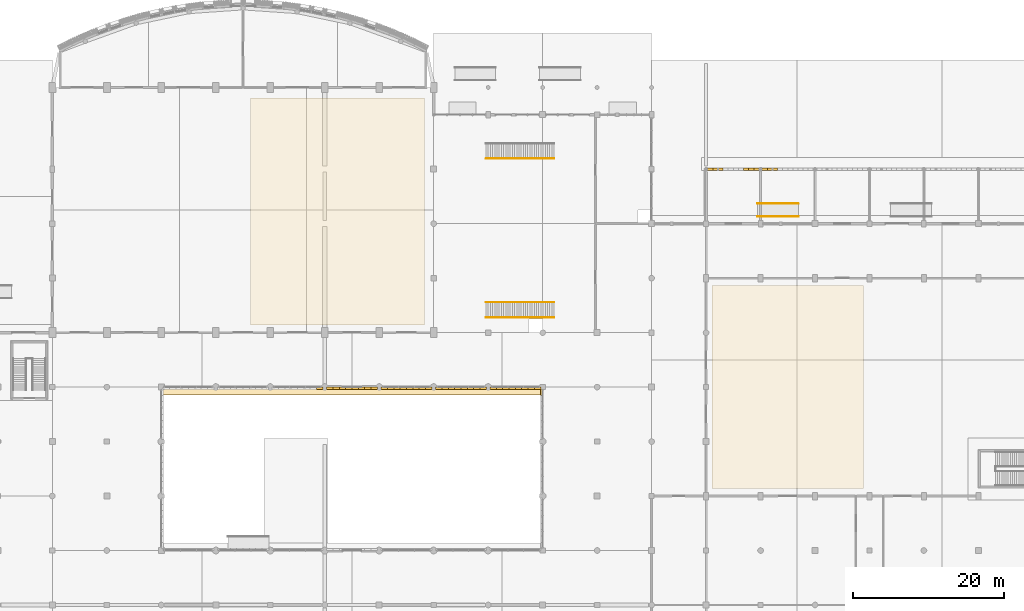
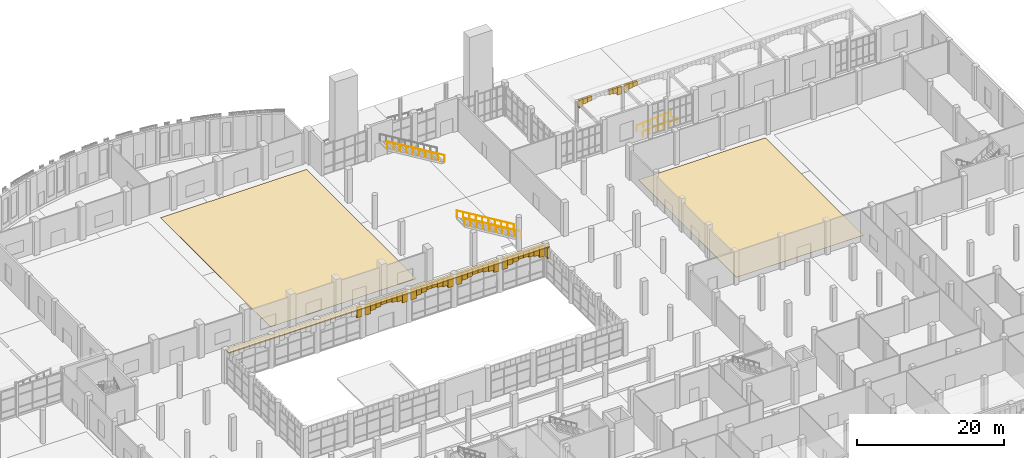
# One storey, part 78 of 85: 46 coverings, 5 railings.
"""IFC4 building model written with IfcOpenShell, lengths in metres."""

from ifc_helpers import new_model, si_unit, direction, frame, frame_2d, origin, origin_2d, place, context, subcontext, project, spatial, polyline, rectangle, circle, outline, extrude, material, layer, layer_set, type_object, element, save


model = new_model("IFC4")

# Units and contexts
model_context = context("Model", 3, precision=1e-05, world=origin(), true_north=direction((0.0, 1.0)))
body_context = subcontext(model_context, "Body", "Model", "MODEL_VIEW")
ifc_project = project(units=[si_unit("LENGTHUNIT", "METRE"), si_unit("AREAUNIT", "SQUARE_METRE"), si_unit("VOLUMEUNIT", "CUBIC_METRE"), si_unit("PLANEANGLEUNIT", "RADIAN"), si_unit("MASSUNIT", "GRAM", prefix="KILO")], contexts=[model_context])

# Site, building, storey
site_placement = place(None, origin())
site = spatial("IfcSite", under=ifc_project, at=site_placement, CompositionType="ELEMENT")
building_placement = place(site_placement, origin())
building = spatial("IfcBuilding", under=site, at=building_placement, Name="Sardonyx Promenade Sports Hall", CompositionType="ELEMENT")
storey_placement = place(building_placement, origin())
storey = spatial("IfcBuildingStorey", under=building, at=storey_placement, Name="L00", CompositionType="ELEMENT", Elevation=0.0)

# Coverings
ifc_material_1 = material(Name="Dressed Cape red sandstone cornice", Category="masonry")
ifc_layer_1 = layer(ifc_material_1, 0.139892578125)
ifc_layer_set_1 = layer_set([ifc_layer_1], Name="Cov_Chhajja_Eave")
covering_type_1 = type_object("IfcCoveringType", Name="Cov_Chhajja_Eave", PredefinedType="MOLDING", material=ifc_layer_set_1)
covering_1_placement = place(storey_placement, frame((0.0, 0.0, 5.35009765625)))
element("IfcCovering", 1, at=covering_1_placement, inside=storey, type_object=covering_type_1, Name="Charbagh courtyard north chhajja eave L00", PredefinedType="MOLDING", context=body_context, shape_type="SweptSolid", body=[
    extrude(outline(polyline([(43.10009765625, 63.75), (93.699951171875, 63.75), (93.699951171875, 64.85009765625), (43.10009765625, 64.85009765625), (43.10009765625, 63.75)])), origin(), (0.0, 0.0, 1.0), 0.179931640625),
])
ifc_material_2 = material(Name="FIBA Grade 1 sprung maple hardwood court flooring", Category="wood")
ifc_layer_2 = layer(ifc_material_2, 0.044921875)
ifc_layer_set_2 = layer_set([ifc_layer_2], Name="Cov_Floor_Maple")
covering_type_2 = type_object("IfcCoveringType", Name="Cov_Floor_Maple", PredefinedType="FLOORING", material=ifc_layer_set_2)
covering_2_placement = place(storey_placement, origin())
element("IfcCovering", 2, at=covering_2_placement, inside=storey, type_object=covering_type_2, Name="Athletic flooring FLR1 L00 #2", PredefinedType="FLOORING", context=body_context, shape_type="SweptSolid", body=[
    extrude(outline(polyline([(55.0, 73.0), (78.0, 73.0), (78.0, 103.0), (55.0, 103.0), (55.0, 73.0)])), origin(), (0.0, 0.0, 1.0), 0.044921875),
])
covering_3_placement = place(storey_placement, origin())
element("IfcCovering", 3, at=covering_3_placement, inside=storey, type_object=covering_type_2, Name="Athletic flooring FLR1 L00 #3", PredefinedType="FLOORING", context=body_context, shape_type="SweptSolid", body=[
    extrude(outline(polyline([(116.0, 51.39990234375), (136.0, 51.39990234375), (136.0, 78.199951171875), (116.0, 78.199951171875), (116.0, 51.39990234375)])), origin(), (0.0, 0.0, 1.0), 0.044921875),
])
ifc_material_3 = material(Name="Carved Cape red sandstone ashlar", Category="masonry")
ifc_layer_3 = layer(ifc_material_3, 0.239990234375)
ifc_layer_set_3 = layer_set([ifc_layer_3], Name="Cov_Mughal_Arch")
covering_type_3 = type_object("IfcCoveringType", Name="Cov_Mughal_Arch", PredefinedType="CLADDING", material=ifc_layer_set_3)
covering_4_placement = place(storey_placement, frame((115.419921875, 93.60009765625, 2.977783203125), z_axis=(0.0, 0.0, 1.0), x_axis=(1.0, 0.0, 0.0)))
element("IfcCovering", 4, at=covering_4_placement, inside=storey, type_object=covering_type_3, Name="Mughal pointed-arch spandrel L00 cov:arch:ne:1 #1", PredefinedType="CLADDING", context=body_context, shape_type="SweptSolid", body=[
    extrude(rectangle(XDim=0.676025390625, YDim=0.340087890625, at=frame_2d((0.337890625, 0.0))), origin(), (0.0, 0.0, 1.0), 1.2421875),
])
covering_5_placement = place(storey_placement, frame((116.095947265625, 93.60009765625, 3.38671875), z_axis=(0.0, 0.0, 1.0), x_axis=(1.0, 0.0, 0.0)))
element("IfcCovering", 5, at=covering_5_placement, inside=storey, type_object=covering_type_3, Name="Mughal pointed-arch spandrel L00 cov:arch:ne:1 #2", PredefinedType="CLADDING", context=body_context, shape_type="SweptSolid", body=[
    extrude(rectangle(XDim=0.676025390625, YDim=0.340087890625, at=frame_2d((0.337890625, 0.0))), origin(), (0.0, 0.0, 1.0), 0.833251953125),
])
covering_6_placement = place(storey_placement, frame((116.77197265625, 93.60009765625, 3.506103515625), z_axis=(0.0, 0.0, 1.0), x_axis=(1.0, 0.0, 0.0)))
element("IfcCovering", 6, at=covering_6_placement, inside=storey, type_object=covering_type_3, Name="Mughal pointed-arch spandrel L00 cov:arch:ne:1 #3", PredefinedType="CLADDING", context=body_context, shape_type="SweptSolid", body=[
    extrude(rectangle(XDim=0.676025390625, YDim=0.340087890625, at=frame_2d((0.337890625, 0.0))), origin(), (0.0, 0.0, 1.0), 0.7138671875),
])
covering_7_placement = place(storey_placement, frame((120.152099609375, 93.60009765625, 3.506103515625), z_axis=(0.0, 0.0, 1.0), x_axis=(1.0, 0.0, 0.0)))
element("IfcCovering", 7, at=covering_7_placement, inside=storey, type_object=covering_type_3, Name="Mughal pointed-arch spandrel L00 cov:arch:ne:1 #8", PredefinedType="CLADDING", context=body_context, shape_type="SweptSolid", body=[
    extrude(rectangle(XDim=0.67578125, YDim=0.340087890625, at=frame_2d((0.337890625, 0.0))), origin(), (0.0, 0.0, 1.0), 0.7138671875),
])
covering_8_placement = place(storey_placement, frame((120.827880859375, 93.60009765625, 3.38671875), z_axis=(0.0, 0.0, 1.0), x_axis=(1.0, 0.0, 0.0)))
element("IfcCovering", 8, at=covering_8_placement, inside=storey, type_object=covering_type_3, Name="Mughal pointed-arch spandrel L00 cov:arch:ne:1 #9", PredefinedType="CLADDING", context=body_context, shape_type="SweptSolid", body=[
    extrude(rectangle(XDim=0.676025390625, YDim=0.340087890625, at=frame_2d((0.337890625, 0.0))), origin(), (0.0, 0.0, 1.0), 0.833251953125),
])
covering_9_placement = place(storey_placement, frame((121.50390625, 93.60009765625, 2.977783203125), z_axis=(0.0, 0.0, 1.0), x_axis=(1.0, 0.0, 0.0)))
element("IfcCovering", 9, at=covering_9_placement, inside=storey, type_object=covering_type_3, Name="Mughal pointed-arch spandrel L00 cov:arch:ne:1 #10", PredefinedType="CLADDING", context=body_context, shape_type="SweptSolid", body=[
    extrude(rectangle(XDim=0.676025390625, YDim=0.340087890625, at=frame_2d((0.337890625, 0.0))), origin(), (0.0, 0.0, 1.0), 1.2421875),
])
covering_10_placement = place(storey_placement, frame((122.6201171875, 93.60009765625, 2.977783203125), z_axis=(0.0, 0.0, 1.0), x_axis=(1.0, 0.0, 0.0)))
element("IfcCovering", 10, at=covering_10_placement, inside=storey, type_object=covering_type_3, Name="Mughal pointed-arch spandrel L00 cov:arch:ne:2 #1", PredefinedType="CLADDING", context=body_context, shape_type="SweptSolid", body=[
    extrude(rectangle(XDim=0.67578125, YDim=0.340087890625, at=frame_2d((0.337890625, 0.0))), origin(), (0.0, 0.0, 1.0), 1.2421875),
])
covering_11_placement = place(storey_placement, frame((123.2958984375, 93.60009765625, 3.38671875), z_axis=(0.0, 0.0, 1.0), x_axis=(1.0, 0.0, 0.0)))
element("IfcCovering", 11, at=covering_11_placement, inside=storey, type_object=covering_type_3, Name="Mughal pointed-arch spandrel L00 cov:arch:ne:2 #2", PredefinedType="CLADDING", context=body_context, shape_type="SweptSolid", body=[
    extrude(rectangle(XDim=0.676025390625, YDim=0.340087890625, at=frame_2d((0.337890625, 0.0))), origin(), (0.0, 0.0, 1.0), 0.833251953125),
])
covering_12_placement = place(storey_placement, frame((123.971923828125, 93.60009765625, 3.506103515625), z_axis=(0.0, 0.0, 1.0), x_axis=(1.0, 0.0, 0.0)))
element("IfcCovering", 12, at=covering_12_placement, inside=storey, type_object=covering_type_3, Name="Mughal pointed-arch spandrel L00 cov:arch:ne:2 #3", PredefinedType="CLADDING", context=body_context, shape_type="SweptSolid", body=[
    extrude(rectangle(XDim=0.676025390625, YDim=0.340087890625, at=frame_2d((0.337890625, 0.0))), origin(), (0.0, 0.0, 1.0), 0.7138671875),
])
covering_13_placement = place(storey_placement, frame((63.71240234375, 64.64990234375, 3.584716796875), z_axis=(0.0, 0.0, 1.0), x_axis=(1.0, 0.0, 0.0)))
element("IfcCovering", 13, at=covering_13_placement, inside=storey, type_object=covering_type_3, Name="Mughal pointed-arch spandrel L00 cov:rq:N:L00:2 #8", PredefinedType="CLADDING", context=body_context, shape_type="SweptSolid", body=[
    extrude(rectangle(XDim=0.837646484375, YDim=0.280029296875, at=frame_2d((0.4189453125, 0.0))), origin(), (0.0, 0.0, 1.0), 1.765380859375),
])
covering_14_placement = place(storey_placement, frame((65.050048828125, 64.64990234375, 3.584716796875), z_axis=(0.0, 0.0, 1.0), x_axis=(1.0, 0.0, 0.0)))
element("IfcCovering", 14, at=covering_14_placement, inside=storey, type_object=covering_type_3, Name="Mughal pointed-arch spandrel L00 cov:rq:N:L00:3 #1", PredefinedType="CLADDING", context=body_context, shape_type="SweptSolid", body=[
    extrude(rectangle(XDim=0.83740234375, YDim=0.280029296875, at=frame_2d((0.418701171875, 0.0))), origin(), (0.0, 0.0, 1.0), 1.765380859375),
])
covering_15_placement = place(storey_placement, frame((65.887451171875, 64.64990234375, 4.041748046875), z_axis=(0.0, 0.0, 1.0), x_axis=(1.0, 0.0, 0.0)))
element("IfcCovering", 15, at=covering_15_placement, inside=storey, type_object=covering_type_3, Name="Mughal pointed-arch spandrel L00 cov:rq:N:L00:3 #2", PredefinedType="CLADDING", context=body_context, shape_type="SweptSolid", body=[
    extrude(rectangle(XDim=0.837646484375, YDim=0.280029296875, at=frame_2d((0.4189453125, 0.0))), origin(), (0.0, 0.0, 1.0), 1.308349609375),
])
covering_16_placement = place(storey_placement, frame((66.72509765625, 64.64990234375, 4.212158203125), z_axis=(0.0, 0.0, 1.0), x_axis=(1.0, 0.0, 0.0)))
element("IfcCovering", 16, at=covering_16_placement, inside=storey, type_object=covering_type_3, Name="Mughal pointed-arch spandrel L00 cov:rq:N:L00:3 #3", PredefinedType="CLADDING", context=body_context, shape_type="SweptSolid", body=[
    extrude(rectangle(XDim=0.83740234375, YDim=0.280029296875, at=frame_2d((0.418701171875, 0.0))), origin(), (0.0, 0.0, 1.0), 1.137939453125),
])
covering_17_placement = place(storey_placement, frame((67.5625, 64.64990234375, 4.429931640625), z_axis=(0.0, 0.0, 1.0), x_axis=(1.0, 0.0, 0.0)))
element("IfcCovering", 17, at=covering_17_placement, inside=storey, type_object=covering_type_3, Name="Mughal pointed-arch spandrel L00 cov:rq:N:L00:3 #4", PredefinedType="CLADDING", context=body_context, shape_type="SweptSolid", body=[
    extrude(rectangle(XDim=0.83740234375, YDim=0.280029296875, at=frame_2d((0.418701171875, 0.0))), origin(), (0.0, 0.0, 1.0), 0.920166015625),
])
covering_18_placement = place(storey_placement, frame((68.39990234375, 64.64990234375, 4.429931640625), z_axis=(0.0, 0.0, 1.0), x_axis=(1.0, 0.0, 0.0)))
element("IfcCovering", 18, at=covering_18_placement, inside=storey, type_object=covering_type_3, Name="Mughal pointed-arch spandrel L00 cov:rq:N:L00:3 #5", PredefinedType="CLADDING", context=body_context, shape_type="SweptSolid", body=[
    extrude(rectangle(XDim=0.837646484375, YDim=0.280029296875, at=frame_2d((0.4189453125, 0.0))), origin(), (0.0, 0.0, 1.0), 0.920166015625),
])
covering_19_placement = place(storey_placement, frame((69.237548828125, 64.64990234375, 4.212158203125), z_axis=(0.0, 0.0, 1.0), x_axis=(1.0, 0.0, 0.0)))
element("IfcCovering", 19, at=covering_19_placement, inside=storey, type_object=covering_type_3, Name="Mughal pointed-arch spandrel L00 cov:rq:N:L00:3 #6", PredefinedType="CLADDING", context=body_context, shape_type="SweptSolid", body=[
    extrude(rectangle(XDim=0.83740234375, YDim=0.280029296875, at=frame_2d((0.418701171875, 0.0))), origin(), (0.0, 0.0, 1.0), 1.137939453125),
])
covering_20_placement = place(storey_placement, frame((70.074951171875, 64.64990234375, 4.041748046875), z_axis=(0.0, 0.0, 1.0), x_axis=(1.0, 0.0, 0.0)))
element("IfcCovering", 20, at=covering_20_placement, inside=storey, type_object=covering_type_3, Name="Mughal pointed-arch spandrel L00 cov:rq:N:L00:3 #7", PredefinedType="CLADDING", context=body_context, shape_type="SweptSolid", body=[
    extrude(rectangle(XDim=0.837646484375, YDim=0.280029296875, at=frame_2d((0.4189453125, 0.0))), origin(), (0.0, 0.0, 1.0), 1.308349609375),
])
for number, where, z_axis, x_axis, name in (
    (21, (70.91259765625, 64.64990234375, 3.584716796875), (0.0, 0.0, 1.0), (1.0, 0.0, 0.0), "Mughal pointed-arch spandrel L00 cov:rq:N:L00:3 #8"),
    (22, (72.25, 64.64990234375, 3.584716796875), (0.0, 0.0, 1.0), (1.0, 0.0, 0.0), "Mughal pointed-arch spandrel L00 cov:rq:N:L00:4 #1"),
):
    element("IfcCovering", number, at=place(storey_placement, frame(where, z_axis=z_axis, x_axis=x_axis)), inside=storey, type_object=covering_type_3, Name=name, PredefinedType="CLADDING", context=body_context, shape_type="SweptSolid", body=[
        extrude(rectangle(XDim=0.83740234375, YDim=0.280029296875, at=frame_2d((0.418701171875, 0.0))), origin(), (0.0, 0.0, 1.0), 1.765380859375),
    ])
covering_21_placement = place(storey_placement, frame((73.08740234375, 64.64990234375, 4.041748046875), z_axis=(0.0, 0.0, 1.0), x_axis=(1.0, 0.0, 0.0)))
element("IfcCovering", 23, at=covering_21_placement, inside=storey, type_object=covering_type_3, Name="Mughal pointed-arch spandrel L00 cov:rq:N:L00:4 #2", PredefinedType="CLADDING", context=body_context, shape_type="SweptSolid", body=[
    extrude(rectangle(XDim=0.837646484375, YDim=0.280029296875, at=frame_2d((0.4189453125, 0.0))), origin(), (0.0, 0.0, 1.0), 1.308349609375),
])
covering_22_placement = place(storey_placement, frame((73.925048828125, 64.64990234375, 4.212158203125), z_axis=(0.0, 0.0, 1.0), x_axis=(1.0, 0.0, 0.0)))
element("IfcCovering", 24, at=covering_22_placement, inside=storey, type_object=covering_type_3, Name="Mughal pointed-arch spandrel L00 cov:rq:N:L00:4 #3", PredefinedType="CLADDING", context=body_context, shape_type="SweptSolid", body=[
    extrude(rectangle(XDim=0.83740234375, YDim=0.280029296875, at=frame_2d((0.418701171875, 0.0))), origin(), (0.0, 0.0, 1.0), 1.137939453125),
])
covering_23_placement = place(storey_placement, frame((74.762451171875, 64.64990234375, 4.429931640625), z_axis=(0.0, 0.0, 1.0), x_axis=(1.0, 0.0, 0.0)))
element("IfcCovering", 25, at=covering_23_placement, inside=storey, type_object=covering_type_3, Name="Mughal pointed-arch spandrel L00 cov:rq:N:L00:4 #4", PredefinedType="CLADDING", context=body_context, shape_type="SweptSolid", body=[
    extrude(rectangle(XDim=0.837646484375, YDim=0.280029296875, at=frame_2d((0.4189453125, 0.0))), origin(), (0.0, 0.0, 1.0), 0.920166015625),
])
covering_24_placement = place(storey_placement, frame((75.60009765625, 64.64990234375, 4.429931640625), z_axis=(0.0, 0.0, 1.0), x_axis=(1.0, 0.0, 0.0)))
element("IfcCovering", 26, at=covering_24_placement, inside=storey, type_object=covering_type_3, Name="Mughal pointed-arch spandrel L00 cov:rq:N:L00:4 #5", PredefinedType="CLADDING", context=body_context, shape_type="SweptSolid", body=[
    extrude(rectangle(XDim=0.83740234375, YDim=0.280029296875, at=frame_2d((0.418701171875, 0.0))), origin(), (0.0, 0.0, 1.0), 0.920166015625),
])
covering_25_placement = place(storey_placement, frame((76.4375, 64.64990234375, 4.212158203125), z_axis=(0.0, 0.0, 1.0), x_axis=(1.0, 0.0, 0.0)))
element("IfcCovering", 27, at=covering_25_placement, inside=storey, type_object=covering_type_3, Name="Mughal pointed-arch spandrel L00 cov:rq:N:L00:4 #6", PredefinedType="CLADDING", context=body_context, shape_type="SweptSolid", body=[
    extrude(rectangle(XDim=0.83740234375, YDim=0.280029296875, at=frame_2d((0.418701171875, 0.0))), origin(), (0.0, 0.0, 1.0), 1.137939453125),
])
covering_26_placement = place(storey_placement, frame((77.27490234375, 64.64990234375, 4.041748046875), z_axis=(0.0, 0.0, 1.0), x_axis=(1.0, 0.0, 0.0)))
element("IfcCovering", 28, at=covering_26_placement, inside=storey, type_object=covering_type_3, Name="Mughal pointed-arch spandrel L00 cov:rq:N:L00:4 #7", PredefinedType="CLADDING", context=body_context, shape_type="SweptSolid", body=[
    extrude(rectangle(XDim=0.837646484375, YDim=0.280029296875, at=frame_2d((0.4189453125, 0.0))), origin(), (0.0, 0.0, 1.0), 1.308349609375),
])
covering_27_placement = place(storey_placement, frame((78.112548828125, 64.64990234375, 3.584716796875), z_axis=(0.0, 0.0, 1.0), x_axis=(1.0, 0.0, 0.0)))
element("IfcCovering", 29, at=covering_27_placement, inside=storey, type_object=covering_type_3, Name="Mughal pointed-arch spandrel L00 cov:rq:N:L00:4 #8", PredefinedType="CLADDING", context=body_context, shape_type="SweptSolid", body=[
    extrude(rectangle(XDim=0.83740234375, YDim=0.280029296875, at=frame_2d((0.418701171875, 0.0))), origin(), (0.0, 0.0, 1.0), 1.765380859375),
])
covering_28_placement = place(storey_placement, frame((79.449951171875, 64.64990234375, 3.584716796875), z_axis=(0.0, 0.0, 1.0), x_axis=(1.0, 0.0, 0.0)))
element("IfcCovering", 30, at=covering_28_placement, inside=storey, type_object=covering_type_3, Name="Mughal pointed-arch spandrel L00 cov:rq:N:L00:5 #1", PredefinedType="CLADDING", context=body_context, shape_type="SweptSolid", body=[
    extrude(rectangle(XDim=0.837646484375, YDim=0.280029296875, at=frame_2d((0.4189453125, 0.0))), origin(), (0.0, 0.0, 1.0), 1.765380859375),
])
covering_29_placement = place(storey_placement, frame((80.28759765625, 64.64990234375, 4.041748046875), z_axis=(0.0, 0.0, 1.0), x_axis=(1.0, 0.0, 0.0)))
element("IfcCovering", 31, at=covering_29_placement, inside=storey, type_object=covering_type_3, Name="Mughal pointed-arch spandrel L00 cov:rq:N:L00:5 #2", PredefinedType="CLADDING", context=body_context, shape_type="SweptSolid", body=[
    extrude(rectangle(XDim=0.83740234375, YDim=0.280029296875, at=frame_2d((0.418701171875, 0.0))), origin(), (0.0, 0.0, 1.0), 1.308349609375),
])
covering_30_placement = place(storey_placement, frame((81.125, 64.64990234375, 4.212158203125), z_axis=(0.0, 0.0, 1.0), x_axis=(1.0, 0.0, 0.0)))
element("IfcCovering", 32, at=covering_30_placement, inside=storey, type_object=covering_type_3, Name="Mughal pointed-arch spandrel L00 cov:rq:N:L00:5 #3", PredefinedType="CLADDING", context=body_context, shape_type="SweptSolid", body=[
    extrude(rectangle(XDim=0.83740234375, YDim=0.280029296875, at=frame_2d((0.418701171875, 0.0))), origin(), (0.0, 0.0, 1.0), 1.137939453125),
])
covering_31_placement = place(storey_placement, frame((81.96240234375, 64.64990234375, 4.429931640625), z_axis=(0.0, 0.0, 1.0), x_axis=(1.0, 0.0, 0.0)))
element("IfcCovering", 33, at=covering_31_placement, inside=storey, type_object=covering_type_3, Name="Mughal pointed-arch spandrel L00 cov:rq:N:L00:5 #4", PredefinedType="CLADDING", context=body_context, shape_type="SweptSolid", body=[
    extrude(rectangle(XDim=0.837646484375, YDim=0.280029296875, at=frame_2d((0.4189453125, 0.0))), origin(), (0.0, 0.0, 1.0), 0.920166015625),
])
covering_32_placement = place(storey_placement, frame((82.800048828125, 64.64990234375, 4.429931640625), z_axis=(0.0, 0.0, 1.0), x_axis=(1.0, 0.0, 0.0)))
element("IfcCovering", 34, at=covering_32_placement, inside=storey, type_object=covering_type_3, Name="Mughal pointed-arch spandrel L00 cov:rq:N:L00:5 #5", PredefinedType="CLADDING", context=body_context, shape_type="SweptSolid", body=[
    extrude(rectangle(XDim=0.83740234375, YDim=0.280029296875, at=frame_2d((0.418701171875, 0.0))), origin(), (0.0, 0.0, 1.0), 0.920166015625),
])
covering_33_placement = place(storey_placement, frame((83.637451171875, 64.64990234375, 4.212158203125), z_axis=(0.0, 0.0, 1.0), x_axis=(1.0, 0.0, 0.0)))
element("IfcCovering", 35, at=covering_33_placement, inside=storey, type_object=covering_type_3, Name="Mughal pointed-arch spandrel L00 cov:rq:N:L00:5 #6", PredefinedType="CLADDING", context=body_context, shape_type="SweptSolid", body=[
    extrude(rectangle(XDim=0.837646484375, YDim=0.280029296875, at=frame_2d((0.4189453125, 0.0))), origin(), (0.0, 0.0, 1.0), 1.137939453125),
])
covering_34_placement = place(storey_placement, frame((84.47509765625, 64.64990234375, 4.041748046875), z_axis=(0.0, 0.0, 1.0), x_axis=(1.0, 0.0, 0.0)))
element("IfcCovering", 36, at=covering_34_placement, inside=storey, type_object=covering_type_3, Name="Mughal pointed-arch spandrel L00 cov:rq:N:L00:5 #7", PredefinedType="CLADDING", context=body_context, shape_type="SweptSolid", body=[
    extrude(rectangle(XDim=0.83740234375, YDim=0.280029296875, at=frame_2d((0.418701171875, 0.0))), origin(), (0.0, 0.0, 1.0), 1.308349609375),
])
covering_35_placement = place(storey_placement, frame((85.3125, 64.64990234375, 3.584716796875), z_axis=(0.0, 0.0, 1.0), x_axis=(1.0, 0.0, 0.0)))
element("IfcCovering", 37, at=covering_35_placement, inside=storey, type_object=covering_type_3, Name="Mughal pointed-arch spandrel L00 cov:rq:N:L00:5 #8", PredefinedType="CLADDING", context=body_context, shape_type="SweptSolid", body=[
    extrude(rectangle(XDim=0.83740234375, YDim=0.280029296875, at=frame_2d((0.418701171875, 0.0))), origin(), (0.0, 0.0, 1.0), 1.765380859375),
])
covering_36_placement = place(storey_placement, frame((86.64990234375, 64.64990234375, 3.584716796875), z_axis=(0.0, 0.0, 1.0), x_axis=(1.0, 0.0, 0.0)))
element("IfcCovering", 38, at=covering_36_placement, inside=storey, type_object=covering_type_3, Name="Mughal pointed-arch spandrel L00 cov:rq:N:L00:6 #1", PredefinedType="CLADDING", context=body_context, shape_type="SweptSolid", body=[
    extrude(rectangle(XDim=0.837646484375, YDim=0.280029296875, at=frame_2d((0.4189453125, 0.0))), origin(), (0.0, 0.0, 1.0), 1.765380859375),
])
covering_37_placement = place(storey_placement, frame((87.487548828125, 64.64990234375, 4.041748046875), z_axis=(0.0, 0.0, 1.0), x_axis=(1.0, 0.0, 0.0)))
element("IfcCovering", 39, at=covering_37_placement, inside=storey, type_object=covering_type_3, Name="Mughal pointed-arch spandrel L00 cov:rq:N:L00:6 #2", PredefinedType="CLADDING", context=body_context, shape_type="SweptSolid", body=[
    extrude(rectangle(XDim=0.83740234375, YDim=0.280029296875, at=frame_2d((0.418701171875, 0.0))), origin(), (0.0, 0.0, 1.0), 1.308349609375),
])
covering_38_placement = place(storey_placement, frame((88.324951171875, 64.64990234375, 4.212158203125), z_axis=(0.0, 0.0, 1.0), x_axis=(1.0, 0.0, 0.0)))
element("IfcCovering", 40, at=covering_38_placement, inside=storey, type_object=covering_type_3, Name="Mughal pointed-arch spandrel L00 cov:rq:N:L00:6 #3", PredefinedType="CLADDING", context=body_context, shape_type="SweptSolid", body=[
    extrude(rectangle(XDim=0.837646484375, YDim=0.280029296875, at=frame_2d((0.4189453125, 0.0))), origin(), (0.0, 0.0, 1.0), 1.137939453125),
])
for number, where, z_axis, x_axis, name in (
    (41, (89.16259765625, 64.64990234375, 4.429931640625), (0.0, 0.0, 1.0), (1.0, 0.0, 0.0), "Mughal pointed-arch spandrel L00 cov:rq:N:L00:6 #4"),
    (42, (90.0, 64.64990234375, 4.429931640625), (0.0, 0.0, 1.0), (1.0, 0.0, 0.0), "Mughal pointed-arch spandrel L00 cov:rq:N:L00:6 #5"),
):
    element("IfcCovering", number, at=place(storey_placement, frame(where, z_axis=z_axis, x_axis=x_axis)), inside=storey, type_object=covering_type_3, Name=name, PredefinedType="CLADDING", context=body_context, shape_type="SweptSolid", body=[
        extrude(rectangle(XDim=0.83740234375, YDim=0.280029296875, at=frame_2d((0.418701171875, 0.0))), origin(), (0.0, 0.0, 1.0), 0.920166015625),
    ])
covering_39_placement = place(storey_placement, frame((90.83740234375, 64.64990234375, 4.212158203125), z_axis=(0.0, 0.0, 1.0), x_axis=(1.0, 0.0, 0.0)))
element("IfcCovering", 43, at=covering_39_placement, inside=storey, type_object=covering_type_3, Name="Mughal pointed-arch spandrel L00 cov:rq:N:L00:6 #6", PredefinedType="CLADDING", context=body_context, shape_type="SweptSolid", body=[
    extrude(rectangle(XDim=0.837646484375, YDim=0.280029296875, at=frame_2d((0.4189453125, 0.0))), origin(), (0.0, 0.0, 1.0), 1.137939453125),
])
covering_40_placement = place(storey_placement, frame((91.675048828125, 64.64990234375, 4.041748046875), z_axis=(0.0, 0.0, 1.0), x_axis=(1.0, 0.0, 0.0)))
element("IfcCovering", 44, at=covering_40_placement, inside=storey, type_object=covering_type_3, Name="Mughal pointed-arch spandrel L00 cov:rq:N:L00:6 #7", PredefinedType="CLADDING", context=body_context, shape_type="SweptSolid", body=[
    extrude(rectangle(XDim=0.83740234375, YDim=0.280029296875, at=frame_2d((0.418701171875, 0.0))), origin(), (0.0, 0.0, 1.0), 1.308349609375),
])
for number, where, z_axis, x_axis, name in (
    (45, (92.512451171875, 64.64990234375, 3.584716796875), (0.0, 0.0, 1.0), (1.0, 0.0, 0.0), "Mughal pointed-arch spandrel L00 cov:rq:N:L00:6 #8"),
    (46, (93.449951171875, 63.71240234375, 3.584716796875), (0.0, 0.0, 1.0), (0.0, 1.0, 0.0), "Mughal pointed-arch spandrel L00 cov:rq:E:L00:2 #8"),
):
    element("IfcCovering", number, at=place(storey_placement, frame(where, z_axis=z_axis, x_axis=x_axis)), inside=storey, type_object=covering_type_3, Name=name, PredefinedType="CLADDING", context=body_context, shape_type="SweptSolid", body=[
        extrude(rectangle(XDim=0.837646484375, YDim=0.280029296875, at=frame_2d((0.4189453125, 0.0))), origin(), (0.0, 0.0, 1.0), 1.765380859375),
    ])

# Railings
ifc_material_4 = material(Name="Stainless steel Grade 316", Category="steel")
railing_type_1 = type_object("IfcRailingType", Name="Rail_Ext_Handrail_900", PredefinedType="HANDRAIL", material=ifc_material_4)
for number, where, name in (
    (47, (122.0, 87.35009765625, -0.449951171875), "Ramp handrail HR01 #4S"),
    (48, (122.0, 89.050048828125, -0.449951171875), "Ramp handrail HR01 #4N"),
):
    element("IfcRailing", number, at=place(storey_placement, frame(where)), inside=storey, type_object=railing_type_1, Name=name, PredefinedType="HANDRAIL", context=body_context, shape_type="SweptSolid", body=[
        extrude(circle(Radius=0.02392578125, at=origin_2d()), frame((0.0, 0.0, 0.8759765625), z_axis=(0.996546379678, 0.0, 0.083038022323), x_axis=(0.0, 1.0, 0.0)), (0.0, 0.0, 1.0), 5.418701171875),
        extrude(circle(Radius=0.02099609375, at=origin_2d()), origin(), (0.0, 0.0, 1.0), 0.851806640625),
        extrude(circle(Radius=0.02099609375, at=origin_2d()), frame((1.080078125, 0.0, 0.090087890625)), (0.0, 0.0, 1.0), 0.851806640625),
        extrude(circle(Radius=0.02099609375, at=origin_2d()), frame((2.159912109375, 0.0, 0.179931640625)), (0.0, 0.0, 1.0), 0.851806640625),
        extrude(circle(Radius=0.02099609375, at=origin_2d()), frame((3.239990234375, 0.0, 0.27001953125)), (0.0, 0.0, 1.0), 0.851806640625),
        extrude(circle(Radius=0.02099609375, at=origin_2d()), frame((4.31982421875, 0.0, 0.35986328125)), (0.0, 0.0, 1.0), 0.851806640625),
        extrude(circle(Radius=0.02099609375, at=origin_2d()), frame((5.39990234375, 0.0, 0.449951171875)), (0.0, 0.0, 1.0), 0.851806640625),
    ])
ifc_material_5 = material(Name="Powder-coated Steel S355JR", Category="steel")
railing_type_2 = type_object("IfcRailingType", Name="Rail_Int_Guard_1100", PredefinedType="GUARDRAIL", material=ifc_material_5)
for number, where, name in (
    (49, (95.110107421875, 76.010009765625, 0.175048828125), "Feature stair guard STF1 L"),
    (50, (95.110107421875, 73.989990234375, 0.175048828125), "Feature stair guard STF1 R"),
    (51, (95.110107421875, 94.989990234375, 0.175048828125), "Feature stair guard STF2 R"),
):
    element("IfcRailing", number, at=place(storey_placement, frame(where)), inside=storey, type_object=railing_type_2, Name=name, PredefinedType="GUARDRAIL", context=body_context, shape_type="SweptSolid", body=[
        extrude(circle(Radius=0.02392578125, at=origin_2d()), frame((0.0, 0.0, 1.09619140625), z_axis=(-0.85618535568, 0.0, 0.516668788218), x_axis=(0.0, -1.0, 0.0)), (0.0, 0.0, 1.0), 10.5),
        extrude(circle(Radius=0.02099609375, at=origin_2d()), origin(), (0.0, 0.0, 1.0), 1.072021484375),
        extrude(circle(Radius=0.02099609375, at=origin_2d()), frame((-0.998779296875, 0.0, 0.602783203125)), (0.0, 0.0, 1.0), 1.072021484375),
        extrude(circle(Radius=0.02099609375, at=origin_2d()), frame((-1.997802734375, 0.0, 1.20556640625)), (0.0, 0.0, 1.0), 1.072021484375),
        extrude(circle(Radius=0.02099609375, at=origin_2d()), frame((-2.99658203125, 0.0, 1.808349609375)), (0.0, 0.0, 1.0), 1.072021484375),
        extrude(circle(Radius=0.02099609375, at=origin_2d()), frame((-3.99560546875, 0.0, 2.4111328125)), (0.0, 0.0, 1.0), 1.072021484375),
        extrude(circle(Radius=0.02099609375, at=origin_2d()), frame((-4.994384765625, 0.0, 3.013916015625)), (0.0, 0.0, 1.0), 1.072021484375),
        extrude(circle(Radius=0.02099609375, at=origin_2d()), frame((-5.993408203125, 0.0, 3.61669921875)), (0.0, 0.0, 1.0), 1.072021484375),
        extrude(circle(Radius=0.02099609375, at=origin_2d()), frame((-6.9921875, 0.0, 4.219482421875)), (0.0, 0.0, 1.0), 1.072021484375),
        extrude(circle(Radius=0.02099609375, at=origin_2d()), frame((-7.9912109375, 0.0, 4.822265625)), (0.0, 0.0, 1.0), 1.072021484375),
        extrude(circle(Radius=0.02099609375, at=origin_2d()), frame((-8.989990234375, 0.0, 5.425048828125)), (0.0, 0.0, 1.0), 1.072021484375),
    ])

save(model, "model.ifc")
